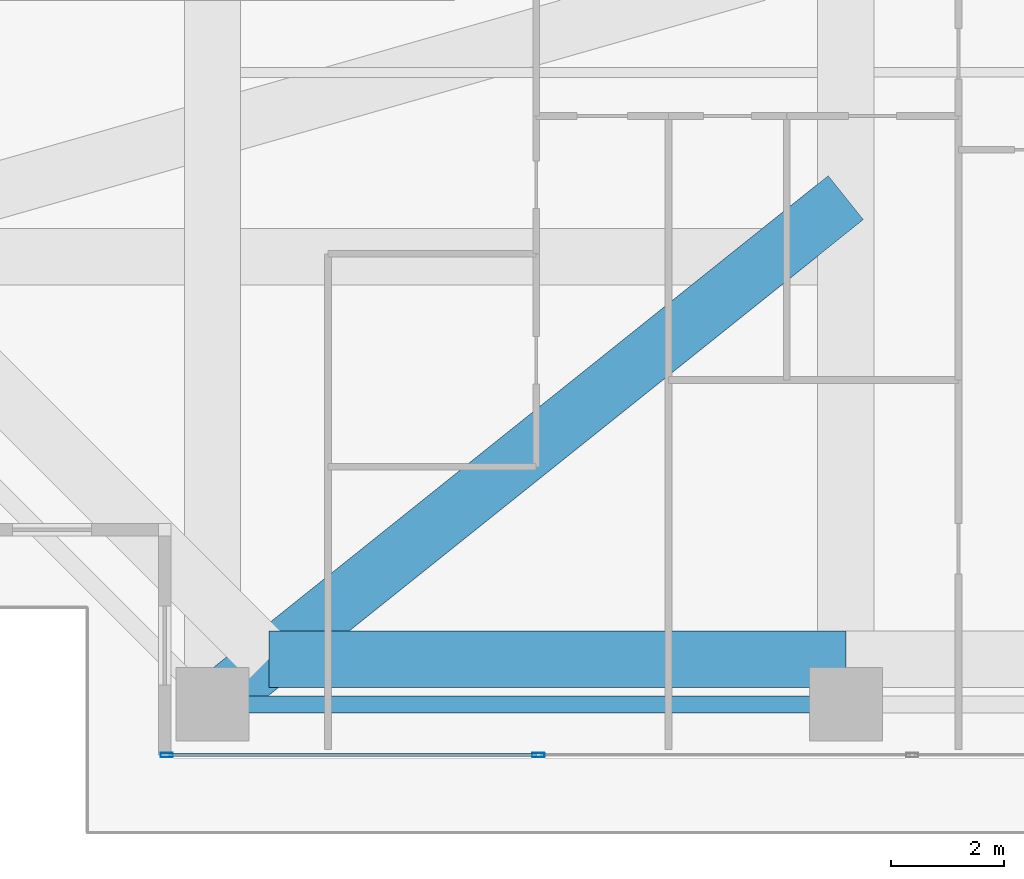
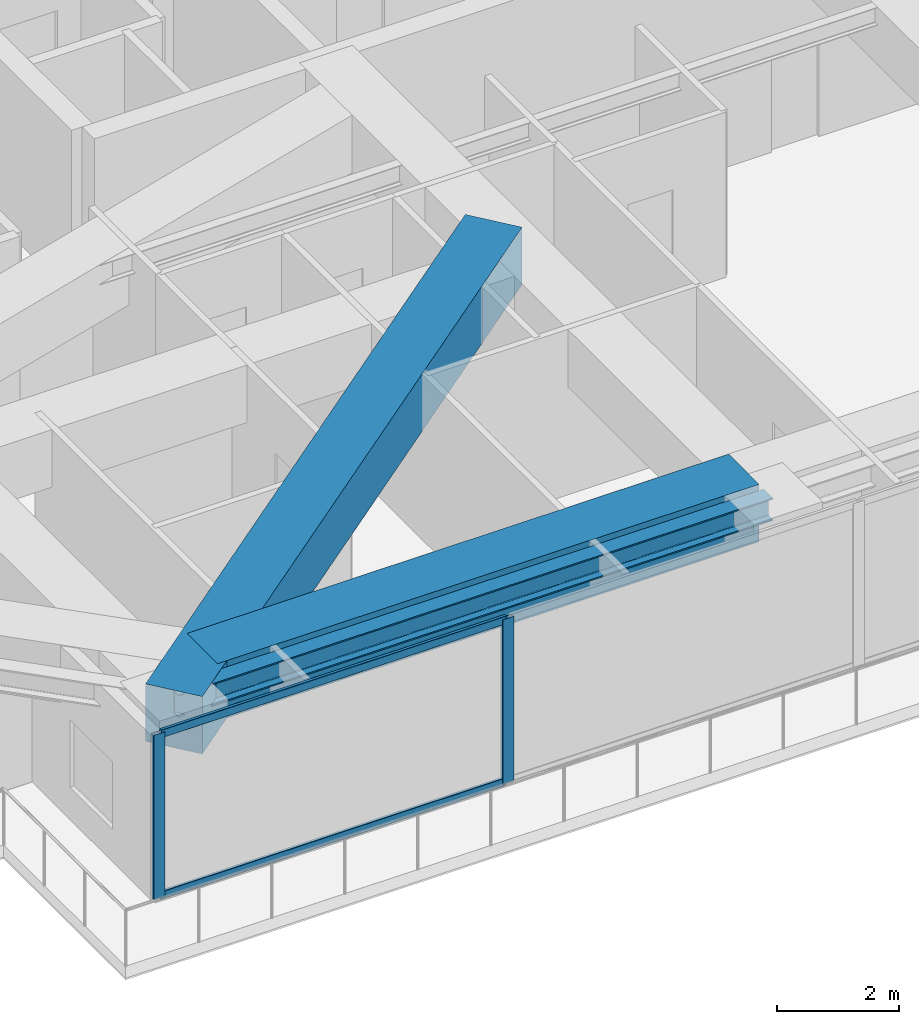
# One storey, part 2 of 32: 4 members, 3 beams, 1 element without a shape of its own.
"""IFC4 building model written with IfcOpenShell, lengths in metres."""

from ifc_helpers import new_model, si_unit, direction, frame, origin, origin_2d, place, context, subcontext, project, spatial, rectangle, hollow_rectangle, i_section, extrude, source, transform, mapped, material, layer, layer_set, material_profile, profile_set, type_object, element, aggregate, save


model = new_model("IFC4")

# Units and contexts
model_context = context("Model", 3, precision=1e-05, world=origin(), true_north=direction((0.0, 1.0)))
body_context = subcontext(model_context, "Body", "Model", "MODEL_VIEW")
ifc_project = project(units=[si_unit("LENGTHUNIT", "METRE"), si_unit("AREAUNIT", "SQUARE_METRE"), si_unit("VOLUMEUNIT", "CUBIC_METRE"), si_unit("PLANEANGLEUNIT", "RADIAN"), si_unit("MASSUNIT", "GRAM", prefix="KILO")], contexts=[model_context])

# Site, building, storey
site_placement = place(None, origin())
site = spatial("IfcSite", under=ifc_project, at=site_placement, CompositionType="ELEMENT")
building_placement = place(site_placement, origin())
building = spatial("IfcBuilding", under=site, at=building_placement, Name="Serunith Strait Residences", CompositionType="ELEMENT")
storey_placement = place(building_placement, frame((0.0, 0.0, 195.14990234375)))
storey = spatial("IfcBuildingStorey", under=building, at=storey_placement, Name="L49", CompositionType="ELEMENT", Elevation=195.14990234375)

# Beams
ifc_material_1 = material(Name="Steel S355J2", Category="steel")
ifc_material_profile_1 = material_profile(ifc_material_1, i_section(OverallWidth=0.300048828125, OverallDepth=0.449951171875, WebThickness=0.013916015625, FlangeThickness=0.02587890625, FilletRadius=0.027099609375, at=origin_2d()), Name="HEB 450")
ifc_profile_set_1 = profile_set([ifc_material_profile_1], Name="Steel S355J2")
beam_type_1 = type_object("IfcBeamType", Name="BM-HEB450", PredefinedType="BEAM", material=ifc_profile_set_1)
shared_shape_1 = source(origin(), body_context, "Body", "SweptSolid", [
    extrude(i_section(OverallWidth=0.300048828125, OverallDepth=0.449951171875, WebThickness=0.013916015625, FlangeThickness=0.02587890625, FilletRadius=0.027099609375, at=origin_2d()), origin(), (0.0, 0.0, 1.0), 11.25),
])
beam_1_placement = place(storey_placement, frame((16.64990234375, 2.300048828125, 3.08203125), z_axis=(1.0, 0.0, 0.0), x_axis=(0.0, 1.0, 0.0)))
element("IfcBeam", 1, at=beam_1_placement, inside=storey, type_object=beam_type_1, Name="L49 Perimeter Ring Beam 01", PredefinedType="BEAM", context=body_context, shape_type="MappedRepresentation", body=[
    mapped(shared_shape_1, transform((0.0, 0.0, 0.0), scale=1.0)),
])
ifc_material_2 = material(Name="Concrete C80/95", Category="concrete")
ifc_material_profile_2 = material_profile(ifc_material_2, rectangle(XDim=1.0, YDim=1.14990234375, at=origin_2d()), Name="RC 1000x1150")
ifc_profile_set_2 = profile_set([ifc_material_profile_2], Name="Concrete C80/95")
beam_type_2 = type_object("IfcBeamType", Name="BM-XFER-1000x1150", PredefinedType="BEAM", material=ifc_profile_set_2)
shared_shape_2 = source(origin(), body_context, "Body", "SweptSolid", [
    extrude(rectangle(XDim=1.0, YDim=1.14990234375, at=origin_2d()), origin(), (0.0, 0.0, 1.0), 14.406982421875),
])
beam_2_placement = place(storey_placement, frame((16.64990234375, 2.300048828125, 2.735107421875), z_axis=(0.780868809443, 0.624695047554, 0.0), x_axis=(-0.624695047554, 0.780868809443, 0.0)))
element("IfcBeam", 2, at=beam_2_placement, inside=storey, type_object=beam_type_2, Name="L49 Diagonal Corner Transfer Girder TC-S1", PredefinedType="BEAM", context=body_context, shape_type="MappedRepresentation", body=[
    mapped(shared_shape_2, transform((0.0, 0.0, 0.0), scale=1.0)),
])
shared_shape_3 = source(origin(), body_context, "Body", "SweptSolid", [
    extrude(rectangle(XDim=1.0, YDim=1.14990234375, at=origin_2d()), origin(), (0.0, 0.0, 1.0), 10.25),
])
beam_3_placement = place(storey_placement, frame((17.64990234375, 3.10009765625, 2.735107421875), z_axis=(1.0, 0.0, 0.0), x_axis=(0.0, 1.0, 0.0)))
element("IfcBeam", 3, at=beam_3_placement, inside=storey, type_object=beam_type_2, Name="L49 Flare Upper Ring Transfer Girder 01", PredefinedType="BEAM", context=body_context, shape_type="MappedRepresentation", body=[
    mapped(shared_shape_3, transform((0.0, 0.0, 0.0), scale=1.0)),
])

# Curtain wall, members
ifc_material_3 = material(Name="Pale-Silver PVDF Aluminium", Category="aluminium")
ifc_layer = layer(ifc_material_3, 0.199951171875, Name="Pale-Silver PVDF Aluminium")
ifc_layer_set = layer_set([ifc_layer], Name="Pale-Silver PVDF Aluminium")
curtain_wall_type = type_object("IfcCurtainWallType", Name="CW-SYS3", PredefinedType="NOTDEFINED", material=ifc_layer_set)
curtain_wall_placement = place(storey_placement, origin())
curtain_wall = element("IfcCurtainWall", 4, at=curtain_wall_placement, inside=storey, type_object=curtain_wall_type, Name="L49 S Unitised Fritted Curtain Wall", PredefinedType="NOTDEFINED")
ifc_material_profile_3 = material_profile(ifc_material_3, hollow_rectangle(XDim=0.06005859375, YDim=0.159912109375, WallThickness=0.00341796875, InnerFilletRadius=0.00537109375, OuterFilletRadius=0.0087890625, at=origin_2d()), Name="ALU 160x60x3.5")
ifc_profile_set_3 = profile_set([ifc_material_profile_3], Name="Pale-Silver PVDF Aluminium")
member_type_1 = type_object("IfcMemberType", Name="CW-SYS3-TRAN", PredefinedType="USERDEFINED", material=ifc_profile_set_3)
shared_shape_4 = source(origin(), body_context, "Body", "SweptSolid", [
    extrude(hollow_rectangle(XDim=0.06005859375, YDim=0.159912109375, WallThickness=0.00341796875, InnerFilletRadius=0.00537109375, OuterFilletRadius=0.0087890625, at=origin_2d()), origin(), (0.0, 0.0, 1.0), 6.527587890625),
])
member_1_placement = place(storey_placement, frame((15.875, 1.39990234375, 0.030029296875), z_axis=(1.0, 0.0, 0.0), x_axis=(0.0, 1.0, 0.0)))
member_1 = element("IfcMember", 5, at=member_1_placement, type_object=member_type_1, Name="CW-3 transom 1.1", ObjectType="TRANSOM", PredefinedType="USERDEFINED", context=body_context, shape_type="MappedRepresentation", body=[
    mapped(shared_shape_4, transform((0.0, 0.0, 0.0), scale=1.0)),
])
member_2_placement = place(storey_placement, frame((15.875, 1.39990234375, 3.26513671875), z_axis=(1.0, 0.0, 0.0), x_axis=(0.0, 1.0, 0.0)))
member_2 = element("IfcMember", 6, at=member_2_placement, type_object=member_type_1, Name="CW-3 transom 1.2", ObjectType="TRANSOM", PredefinedType="USERDEFINED", context=body_context, shape_type="MappedRepresentation", body=[
    mapped(shared_shape_4, transform((0.0, 0.0, 0.0), scale=1.0)),
])
ifc_material_profile_4 = material_profile(ifc_material_3, hollow_rectangle(XDim=0.074951171875, YDim=0.219970703125, WallThickness=0.00390625, InnerFilletRadius=0.006103515625, OuterFilletRadius=0.010009765625, at=origin_2d()), Name="ALU 220x75x4")
ifc_profile_set_4 = profile_set([ifc_material_profile_4], Name="Pale-Silver PVDF Aluminium")
member_type_2 = type_object("IfcMemberType", Name="CW-SYS3-MULL", PredefinedType="MULLION", material=ifc_profile_set_4)
shared_shape_5 = source(origin(), body_context, "Body", "SweptSolid", [
    extrude(hollow_rectangle(XDim=0.074951171875, YDim=0.219970703125, WallThickness=0.00390625, InnerFilletRadius=0.006103515625, OuterFilletRadius=0.010009765625, at=origin_2d()), origin(), (0.0, 0.0, 1.0), 3.295166015625),
])
member_3_placement = place(storey_placement, frame((15.83740234375, 1.39990234375, 0.0), z_axis=(0.0, 0.0, 1.0), x_axis=(0.0, 1.0, 0.0)))
member_3 = element("IfcMember", 7, at=member_3_placement, type_object=member_type_2, Name="CW-3 mullion 1", PredefinedType="MULLION", context=body_context, shape_type="MappedRepresentation", body=[
    mapped(shared_shape_5, transform((0.0, 0.0, 0.0), scale=1.0)),
])
member_4_placement = place(storey_placement, frame((22.43994140625, 1.39990234375, 0.0), z_axis=(0.0, 0.0, 1.0), x_axis=(0.0, 1.0, 0.0)))
member_4 = element("IfcMember", 8, at=member_4_placement, type_object=member_type_2, Name="CW-3 mullion 2", PredefinedType="MULLION", context=body_context, shape_type="MappedRepresentation", body=[
    mapped(shared_shape_5, transform((0.0, 0.0, 0.0), scale=1.0)),
])
aggregate(curtain_wall, [member_3, member_4, member_1, member_2])

save(model, "model.ifc")
